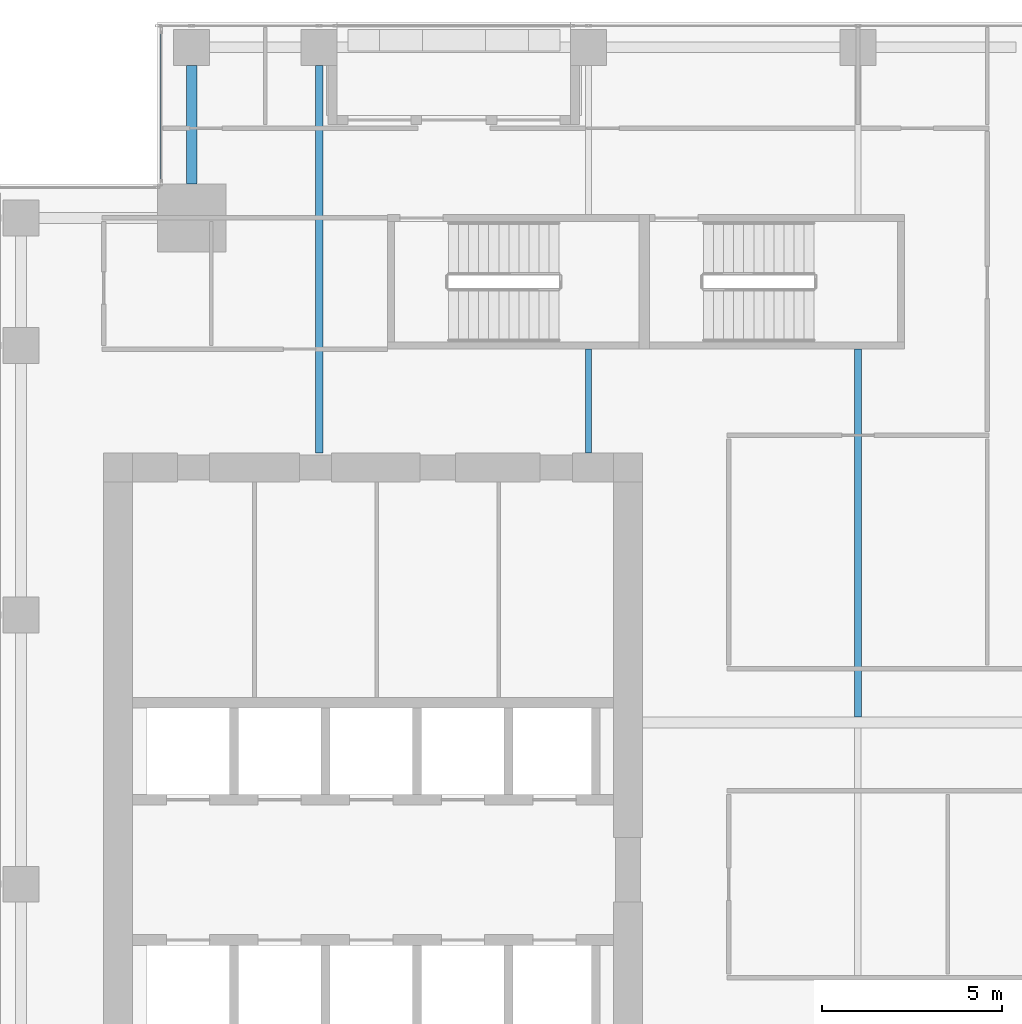
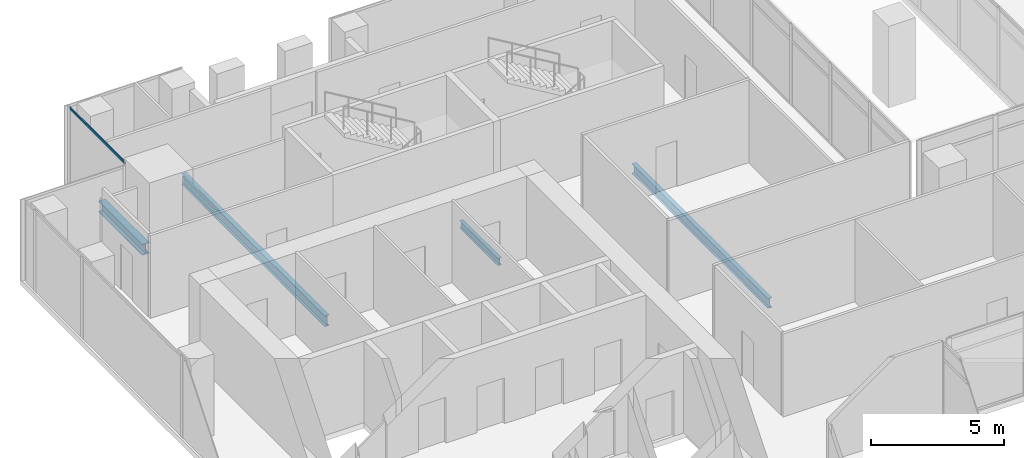
# One storey, part 19 of 40: 4 beams, 1 member, 1 element without a shape of its own.
"""IFC4 building model written with IfcOpenShell, lengths in metres."""

from ifc_helpers import new_model, si_unit, direction, frame, origin, origin_2d, place, context, subcontext, project, spatial, hollow_rectangle, i_section, extrude, source, transform, mapped, material, material_profile, profile_set, type_object, element, aggregate, save


model = new_model("IFC4")

# Units and contexts
model_context = context("Model", 3, precision=1e-05, world=origin(), true_north=direction((0.0, 1.0)))
body_context = subcontext(model_context, "Body", "Model", "MODEL_VIEW")
ifc_project = project(units=[si_unit("LENGTHUNIT", "METRE"), si_unit("AREAUNIT", "SQUARE_METRE"), si_unit("VOLUMEUNIT", "CUBIC_METRE"), si_unit("PLANEANGLEUNIT", "RADIAN"), si_unit("MASSUNIT", "GRAM", prefix="KILO")], contexts=[model_context])

# Site, building, storey
site_placement = place(None, origin())
site = spatial("IfcSite", under=ifc_project, at=site_placement, CompositionType="ELEMENT")
building_placement = place(site_placement, origin())
building = spatial("IfcBuilding", under=site, at=building_placement, Name="Khomas Fold Tower", CompositionType="ELEMENT")
storey_placement = place(building_placement, frame((0.0, 0.0, 184.699951171875)))
storey = spatial("IfcBuildingStorey", under=building, at=storey_placement, Name="L40", CompositionType="ELEMENT", Elevation=184.699951171875)

# Beams
ifc_material_1 = material(Name="Steel S355", Category="steel")
ifc_material_profile_1 = material_profile(ifc_material_1, i_section(OverallWidth=0.18994140625, OverallDepth=0.449951171875, WebThickness=0.009521484375, FlangeThickness=0.0146484375, at=origin_2d()), Name="IPE 450")
ifc_profile_set_1 = profile_set([ifc_material_profile_1], Name="Steel S355")
beam_type_1 = type_object("IfcBeamType", Name="IPE 450 beam JB4", PredefinedType="BEAM", material=ifc_profile_set_1)
shared_shape_1 = source(origin(), body_context, "Body", "SweptSolid", [
    extrude(i_section(OverallWidth=0.18994140625, OverallDepth=0.449951171875, WebThickness=0.009521484375, FlangeThickness=0.0146484375, at=origin_2d()), origin(), (0.0, 0.0, 1.0), 10.25),
])
beam_1_placement = place(storey_placement, frame((27.0, 31.64990234375, -0.474853515625), z_axis=(0.0, 1.0, 0.0), x_axis=(-1.0, 0.0, 0.0)))
element("IfcBeam", 1, at=beam_1_placement, inside=storey, type_object=beam_type_1, Name="JB4", PredefinedType="BEAM", context=body_context, shape_type="MappedRepresentation", body=[
    mapped(shared_shape_1, transform((0.0, 0.0, 0.0))),
])
ifc_material_2 = material(Name="Steel S355", Category="steel")
ifc_material_profile_2 = material_profile(ifc_material_2, i_section(OverallWidth=0.300048828125, OverallDepth=0.5, WebThickness=0.014404296875, FlangeThickness=0.028076171875, at=origin_2d()), Name="HE 500 B")
ifc_profile_set_2 = profile_set([ifc_material_profile_2], Name="Steel S355")
beam_type_2 = type_object("IfcBeamType", Name="HE 500 B spandrel SB3", PredefinedType="SPANDREL", material=ifc_profile_set_2)
shared_shape_2 = source(origin(), body_context, "Body", "SweptSolid", [
    extrude(i_section(OverallWidth=0.300048828125, OverallDepth=0.5, WebThickness=0.014404296875, FlangeThickness=0.028076171875, at=origin_2d()), origin(), (0.0, 0.0, 1.0), 3.300048828125),
])
beam_2_placement = place(storey_placement, frame((8.449951171875, 46.5, -0.5), z_axis=(0.0, 1.0, 0.0), x_axis=(-1.0, 0.0, 0.0)))
element("IfcBeam", 2, at=beam_2_placement, inside=storey, type_object=beam_type_2, Name="SB3", PredefinedType="SPANDREL", context=body_context, shape_type="MappedRepresentation", body=[
    mapped(shared_shape_2, transform((0.0, 0.0, 0.0))),
])
ifc_material_3 = material(Name="Steel S355", Category="steel")
ifc_material_profile_3 = material_profile(ifc_material_3, i_section(OverallWidth=0.199951171875, OverallDepth=0.5, WebThickness=0.01025390625, FlangeThickness=0.01611328125, at=origin_2d()), Name="IPE 500")
ifc_profile_set_3 = profile_set([ifc_material_profile_3], Name="Steel S355")
beam_type_3 = type_object("IfcBeamType", Name="IPE 500 beam JB5", PredefinedType="BEAM", material=ifc_profile_set_3)
shared_shape_3 = source(origin(), body_context, "Body", "SweptSolid", [
    extrude(i_section(OverallWidth=0.199951171875, OverallDepth=0.5, WebThickness=0.01025390625, FlangeThickness=0.01611328125, at=origin_2d()), origin(), (0.0, 0.0, 1.0), 10.800048828125),
])
beam_3_placement = place(storey_placement, frame((12.0, 39.0, -0.5), z_axis=(0.0, 1.0, 0.0), x_axis=(-1.0, 0.0, 0.0)))
element("IfcBeam", 3, at=beam_3_placement, inside=storey, type_object=beam_type_3, Name="JB5", PredefinedType="BEAM", context=body_context, shape_type="MappedRepresentation", body=[
    mapped(shared_shape_3, transform((0.0, 0.0, 0.0))),
])
ifc_material_4 = material(Name="Steel S355", Category="steel")
ifc_material_profile_4 = material_profile(ifc_material_4, i_section(OverallWidth=0.159912109375, OverallDepth=0.330078125, WebThickness=0.007568359375, FlangeThickness=0.011474609375, at=origin_2d()), Name="IPE 330")
ifc_profile_set_4 = profile_set([ifc_material_profile_4], Name="Steel S355")
beam_type_4 = type_object("IfcBeamType", Name="IPE 330 beam JB1", PredefinedType="BEAM", material=ifc_profile_set_4)
shared_shape_4 = source(origin(), body_context, "Body", "SweptSolid", [
    extrude(i_section(OverallWidth=0.159912109375, OverallDepth=0.330078125, WebThickness=0.007568359375, FlangeThickness=0.011474609375, at=origin_2d()), origin(), (0.0, 0.0, 1.0), 2.89990234375),
])
beam_4_placement = place(storey_placement, frame((19.5, 39.0, -0.4150390625), z_axis=(0.0, 1.0, 0.0), x_axis=(-1.0, 0.0, 0.0)))
element("IfcBeam", 4, at=beam_4_placement, inside=storey, type_object=beam_type_4, Name="JB1", PredefinedType="BEAM", context=body_context, shape_type="MappedRepresentation", body=[
    mapped(shared_shape_4, transform((0.0, 0.0, 0.0))),
])

# Curtain wall, member
ifc_material_5 = material(Name="Aluminium framed double glazing", Category="aluminium")
curtain_wall_type = type_object("IfcCurtainWallType", Name="SK-Unitised clear-glass wall, office floors CW2", PredefinedType="NOTDEFINED", material=ifc_material_5)
curtain_wall_placement = place(storey_placement, origin())
curtain_wall = element("IfcCurtainWall", 5, at=curtain_wall_placement, inside=storey, type_object=curtain_wall_type, Name="CW2 corner return L40 16", PredefinedType="NOTDEFINED")
ifc_material_6 = material(Name="Aluminium", Category="aluminium")
ifc_material_profile_5 = material_profile(ifc_material_6, hollow_rectangle(XDim=0.050048828125, YDim=0.110107421875, WallThickness=0.00390625, at=origin_2d()), Name="SK-Unitised clear-glass wall, office floors transom CW2-T")
ifc_profile_set_5 = profile_set([ifc_material_profile_5], Name="Aluminium")
member_type = type_object("IfcMemberType", Name="SK-Unitised clear-glass wall, office floors transom CW2-T", PredefinedType="USERDEFINED", material=ifc_profile_set_5)
shared_shape_5 = source(origin(), body_context, "Body", "SweptSolid", [
    extrude(hollow_rectangle(XDim=0.050048828125, YDim=0.110107421875, WallThickness=0.00390625, at=origin_2d()), origin(), (0.0, 0.0, 1.0), 4.179931640625),
])
member_placement = place(storey_placement, frame((7.60009765625, 50.739990234375, 3.695068359375), z_axis=(0.0, -1.0, 0.0), x_axis=(1.0, 0.0, 0.0)))
member = element("IfcMember", 6, at=member_placement, type_object=member_type, Name="CW2 transom 1", ObjectType="TRANSOM", PredefinedType="USERDEFINED", context=body_context, shape_type="MappedRepresentation", body=[
    mapped(shared_shape_5, transform((0.0, 0.0, 0.0))),
])
aggregate(curtain_wall, [member])

save(model, "model.ifc")
